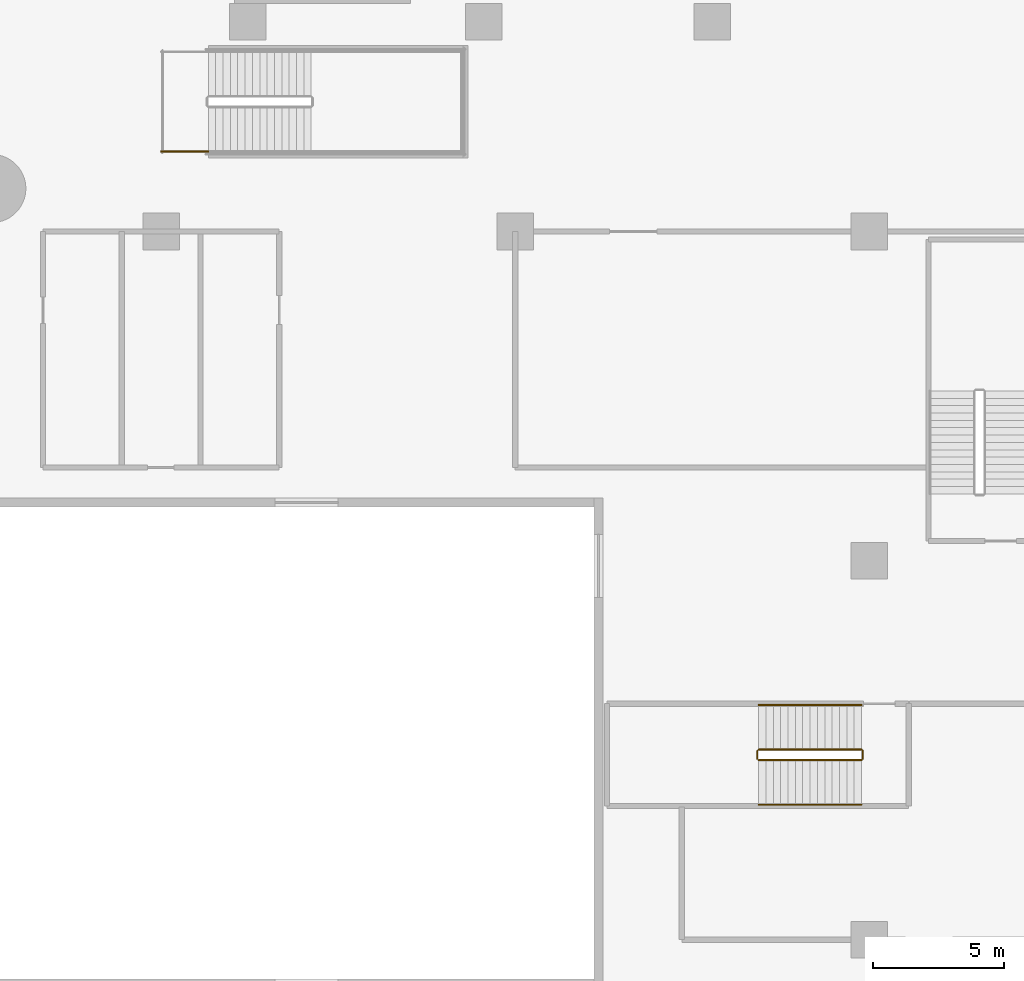
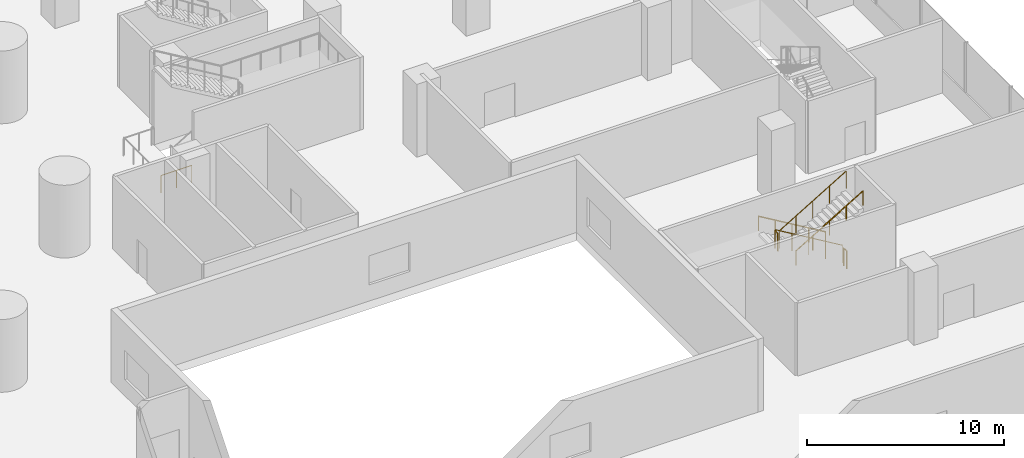
# One storey, part 38 of 44: 7 railings.
"""IFC4 building model written with IfcOpenShell, lengths in metres."""

from ifc_helpers import new_model, si_unit, direction, frame, origin, origin_2d, place, context, subcontext, project, spatial, circle, extrude, material, type_object, element, save


model = new_model("IFC4")

# Units and contexts
model_context = context("Model", 3, precision=1e-05, world=origin(), true_north=direction((0.0, 1.0)))
body_context = subcontext(model_context, "Body", "Model", "MODEL_VIEW")
ifc_project = project(units=[si_unit("LENGTHUNIT", "METRE"), si_unit("AREAUNIT", "SQUARE_METRE"), si_unit("VOLUMEUNIT", "CUBIC_METRE"), si_unit("PLANEANGLEUNIT", "RADIAN"), si_unit("MASSUNIT", "GRAM", prefix="KILO")], contexts=[model_context])

# Site, building, storey
site_placement = place(None, origin())
site = spatial("IfcSite", under=ifc_project, at=site_placement, CompositionType="ELEMENT")
building_placement = place(site_placement, origin())
building = spatial("IfcBuilding", under=site, at=building_placement, Name="Tamarind Cross Interchange Tower", CompositionType="ELEMENT")
storey_placement = place(building_placement, frame((0.0, 0.0, 15.0)))
storey = spatial("IfcBuildingStorey", under=building, at=storey_placement, Name="L02", CompositionType="ELEMENT", Elevation=15.0)

# Railings
ifc_material_1 = material(Name="Public stair guard")
railing_type_1 = type_object("IfcRailingType", Name="Public stair guard", PredefinedType="GUARDRAIL", material=ifc_material_1)
railing_1_placement = place(storey_placement, frame((27.0, -10.449951171875, 0.0)))
element("IfcRailing", 1, at=railing_1_placement, inside=storey, type_object=railing_type_1, Name="L02 PS-E stair guard 8", PredefinedType="GUARDRAIL", context=body_context, shape_type="SweptSolid", body=[
    extrude(circle(Radius=0.02392578125, at=origin_2d()), frame((0.0, 0.0, 1.076171875), z_axis=(1.0, 0.0, 0.0), x_axis=(0.0, 1.0, 0.0)), (0.0, 0.0, 1.0), 1.800048828125),
    extrude(circle(Radius=0.02099609375, at=origin_2d()), origin(), (0.0, 0.0, 1.0), 1.052001953125),
    extrude(circle(Radius=0.02099609375, at=origin_2d()), frame((0.89990234375, 0.0, 0.0)), (0.0, 0.0, 1.0), 1.052001953125),
    extrude(circle(Radius=0.02099609375, at=origin_2d()), frame((1.800048828125, 0.0, 0.0)), (0.0, 0.0, 1.0), 1.052001953125),
])
railing_2_placement = place(storey_placement, frame((53.699951171875, -33.25, 0.166748046875)))
element("IfcRailing", 2, at=railing_2_placement, inside=storey, type_object=railing_type_1, Name="L02 XS-P10 stair guard 1", PredefinedType="GUARDRAIL", context=body_context, shape_type="SweptSolid", body=[
    extrude(circle(Radius=0.02392578125, at=origin_2d()), frame((0.0, 0.0, 1.076171875), z_axis=(-0.859296244711, 0.0, 0.511478214419), x_axis=(0.0, -1.0, 0.0)), (0.0, 0.0, 1.0), 4.561767578125),
    extrude(circle(Radius=0.02099609375, at=origin_2d()), origin(), (0.0, 0.0, 1.0), 1.052001953125),
    extrude(circle(Radius=0.02099609375, at=origin_2d()), frame((-0.97998046875, 0.0, 0.583251953125)), (0.0, 0.0, 1.0), 1.052001953125),
    extrude(circle(Radius=0.02099609375, at=origin_2d()), frame((-1.9599609375, 0.0, 1.16650390625)), (0.0, 0.0, 1.0), 1.052001953125),
    extrude(circle(Radius=0.02099609375, at=origin_2d()), frame((-2.93994140625, 0.0, 1.75)), (0.0, 0.0, 1.0), 1.052001953125),
    extrude(circle(Radius=0.02099609375, at=origin_2d()), frame((-3.919921875, 0.0, 2.333251953125)), (0.0, 0.0, 1.0), 1.052001953125),
])
railing_3_placement = place(storey_placement, frame((49.72998046875, -33.300048828125, 2.5)))
element("IfcRailing", 3, at=railing_3_placement, inside=storey, type_object=railing_type_1, Name="L02 XS-P10 stair guard 2", PredefinedType="GUARDRAIL", context=body_context, shape_type="SweptSolid", body=[
    extrude(circle(Radius=0.02392578125, at=origin_2d()), frame((0.0, 0.0, 1.076171875), z_axis=(0.0, -1.0, 0.0), x_axis=(1.0, 0.0, 0.0)), (0.0, 0.0, 1.0), 0.300048828125),
    extrude(circle(Radius=0.02099609375, at=origin_2d()), origin(), (0.0, 0.0, 1.0), 1.052001953125),
    extrude(circle(Radius=0.02099609375, at=origin_2d()), frame((0.0, -0.300048828125, 0.0)), (0.0, 0.0, 1.0), 1.052001953125),
])
railing_4_placement = place(storey_placement, frame((49.780029296875, -33.64990234375, 2.666748046875)))
element("IfcRailing", 4, at=railing_4_placement, inside=storey, type_object=railing_type_1, Name="L02 XS-P10 stair guard 3", PredefinedType="GUARDRAIL", context=body_context, shape_type="SweptSolid", body=[
    extrude(circle(Radius=0.02392578125, at=origin_2d()), frame((0.0, 0.0, 1.076171875), z_axis=(0.859296244711, 0.0, 0.511478214419), x_axis=(0.0, 1.0, 0.0)), (0.0, 0.0, 1.0), 4.561767578125),
    extrude(circle(Radius=0.02099609375, at=origin_2d()), origin(), (0.0, 0.0, 1.0), 1.052001953125),
    extrude(circle(Radius=0.02099609375, at=origin_2d()), frame((0.97998046875, 0.0, 0.583251953125)), (0.0, 0.0, 1.0), 1.052001953125),
    extrude(circle(Radius=0.02099609375, at=origin_2d()), frame((1.9599609375, 0.0, 1.16650390625)), (0.0, 0.0, 1.0), 1.052001953125),
    extrude(circle(Radius=0.02099609375, at=origin_2d()), frame((2.93994140625, 0.0, 1.75)), (0.0, 0.0, 1.0), 1.052001953125),
    extrude(circle(Radius=0.02099609375, at=origin_2d()), frame((3.919921875, 0.0, 2.333251953125)), (0.0, 0.0, 1.0), 1.052001953125),
])
railing_5_placement = place(storey_placement, frame((53.75, -33.300048828125, 0.0)))
element("IfcRailing", 5, at=railing_5_placement, inside=storey, type_object=railing_type_1, Name="L02 XS-P10 stair guard 4", PredefinedType="GUARDRAIL", context=body_context, shape_type="SweptSolid", body=[
    extrude(circle(Radius=0.02392578125, at=origin_2d()), frame((0.0, 0.0, 1.076171875), z_axis=(0.0, -1.0, 0.0), x_axis=(1.0, 0.0, 0.0)), (0.0, 0.0, 1.0), 0.300048828125),
    extrude(circle(Radius=0.02099609375, at=origin_2d()), origin(), (0.0, 0.0, 1.0), 1.052001953125),
    extrude(circle(Radius=0.02099609375, at=origin_2d()), frame((0.0, -0.300048828125, 0.0)), (0.0, 0.0, 1.0), 1.052001953125),
])
ifc_material_2 = material(Name="Public stair handrail")
railing_type_2 = type_object("IfcRailingType", Name="Public stair handrail", PredefinedType="HANDRAIL", material=ifc_material_2)
railing_6_placement = place(storey_placement, frame((53.699951171875, -31.550048828125, 0.166748046875)))
element("IfcRailing", 6, at=railing_6_placement, inside=storey, type_object=railing_type_2, Name="L02 XS-P10 stair handrail 1", PredefinedType="HANDRAIL", context=body_context, shape_type="SweptSolid", body=[
    extrude(circle(Radius=0.02392578125, at=origin_2d()), frame((0.0, 0.0, 0.8759765625), z_axis=(-0.859296244711, 0.0, 0.511478214419), x_axis=(0.0, -1.0, 0.0)), (0.0, 0.0, 1.0), 4.561767578125),
    extrude(circle(Radius=0.02099609375, at=origin_2d()), origin(), (0.0, 0.0, 1.0), 0.851806640625),
    extrude(circle(Radius=0.02099609375, at=origin_2d()), frame((-0.97998046875, 0.0, 0.583251953125)), (0.0, 0.0, 1.0), 0.851806640625),
    extrude(circle(Radius=0.02099609375, at=origin_2d()), frame((-1.9599609375, 0.0, 1.16650390625)), (0.0, 0.0, 1.0), 0.851806640625),
    extrude(circle(Radius=0.02099609375, at=origin_2d()), frame((-2.93994140625, 0.0, 1.75)), (0.0, 0.0, 1.0), 0.851806640625),
    extrude(circle(Radius=0.02099609375, at=origin_2d()), frame((-3.919921875, 0.0, 2.333251953125)), (0.0, 0.0, 1.0), 0.851806640625),
])
railing_7_placement = place(storey_placement, frame((49.780029296875, -35.35009765625, 2.666748046875)))
element("IfcRailing", 7, at=railing_7_placement, inside=storey, type_object=railing_type_2, Name="L02 XS-P10 stair handrail 2", PredefinedType="HANDRAIL", context=body_context, shape_type="SweptSolid", body=[
    extrude(circle(Radius=0.02392578125, at=origin_2d()), frame((0.0, 0.0, 0.8759765625), z_axis=(0.859296244711, 0.0, 0.511478214419), x_axis=(0.0, 1.0, 0.0)), (0.0, 0.0, 1.0), 4.561767578125),
    extrude(circle(Radius=0.02099609375, at=origin_2d()), origin(), (0.0, 0.0, 1.0), 0.851806640625),
    extrude(circle(Radius=0.02099609375, at=origin_2d()), frame((0.97998046875, 0.0, 0.583251953125)), (0.0, 0.0, 1.0), 0.851806640625),
    extrude(circle(Radius=0.02099609375, at=origin_2d()), frame((1.9599609375, 0.0, 1.16650390625)), (0.0, 0.0, 1.0), 0.851806640625),
    extrude(circle(Radius=0.02099609375, at=origin_2d()), frame((2.93994140625, 0.0, 1.75)), (0.0, 0.0, 1.0), 0.851806640625),
    extrude(circle(Radius=0.02099609375, at=origin_2d()), frame((3.919921875, 0.0, 2.333251953125)), (0.0, 0.0, 1.0), 0.851806640625),
])

save(model, "model.ifc")
